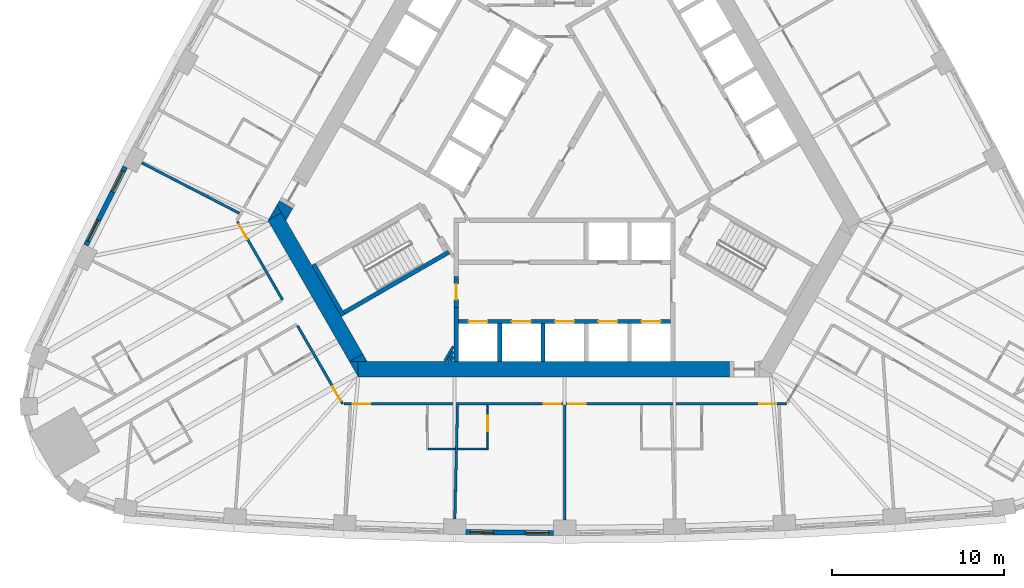
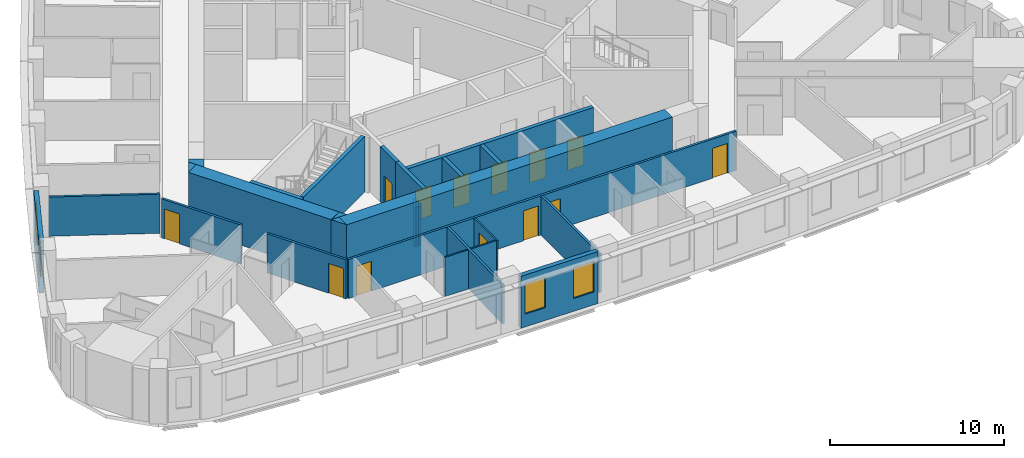
# One storey, part 4 of 12: 27 walls, 13 doors, 4 windows, 17 openings.
"""IFC4 building model written with IfcOpenShell, lengths in metres."""

import ifcopenshell
import ifcopenshell.guid

model = None  # the IFC model being written
_history = None  # IfcOwnerHistory: only IFC2X3 demands one
_inside = {}  # id of a spatial element -> (the spatial element, [elements in it])
_under = {}  # id of a project, library or spatial element -> (it, [spatial elements below it])
_declared = {}  # id of a project -> (the project, [libraries it declares])
_typed = {}  # id of a type object -> (the type object, [elements of that type])
_made_of = {}  # id of a material, layer set ... -> (it, [elements and type objects made of it])


def new_model(schema):
    """Start an empty IFC model of exactly this schema.

    Asked for "IFC4X3", IfcOpenShell would pick the latest addendum, in which some entities
    have other attributes; the version numbers below select the first issue.
    IFC2X3 requires an IfcOwnerHistory on every rooted entity: one is made here for all.
    """
    global model, _history
    if schema == "IFC4X3":
        model = ifcopenshell.file(schema_version=(4, 3, 0, 0))
    else:
        model = ifcopenshell.file(schema=schema)
    _inside.clear()
    _under.clear()
    _declared.clear()
    _typed.clear()
    _made_of.clear()
    _history = None
    if model.schema == "IFC2X3":
        org = make("IfcOrganization", Name="unknown")
        user = make(
            "IfcPersonAndOrganization",
            ThePerson=make("IfcPerson", FamilyName="unknown"),
            TheOrganization=org,
        )
        app = make(
            "IfcApplication",
            ApplicationDeveloper=org,
            Version="unknown",
            ApplicationFullName="unknown",
            ApplicationIdentifier="unknown",
        )
        _history = make(
            "IfcOwnerHistory",
            OwningUser=user,
            OwningApplication=app,
            ChangeAction="ADDED",
            CreationDate=0,
        )
    return model


def make(cls, **values):
    """One entity of the class cls with the attributes given. An attribute that is None is left unset."""
    return model.create_entity(
        cls, **{name: value for name, value in values.items() if value is not None}
    )


def rooted(cls, **values):
    """An entity with a GlobalId (a new one), such as an element, a storey or a relation."""
    return make(cls, GlobalId=ifcopenshell.guid.new(), OwnerHistory=_history, **values)


def si_unit(unit_type, name, prefix=None):
    """IfcSIUnit, for example si_unit("LENGTHUNIT", "METRE", prefix="MILLI")."""
    return make("IfcSIUnit", UnitType=unit_type, Prefix=prefix, Name=name)


def assignment(units):
    """IfcUnitAssignment: the units of a project."""
    return None if units is None else make("IfcUnitAssignment", Units=units)


def point(xyz):
    """IfcCartesianPoint."""
    return None if xyz is None else make("IfcCartesianPoint", Coordinates=xyz)


def direction(xyz):
    """IfcDirection."""
    return None if xyz is None else make("IfcDirection", DirectionRatios=xyz)


def frame(location, z_axis=None, x_axis=None):
    """IfcAxis2Placement3D, a coordinate frame: its origin and axes. An axis left out is left unset."""
    return make(
        "IfcAxis2Placement3D",
        Location=point(location),
        Axis=direction(z_axis),
        RefDirection=direction(x_axis),
    )


def frame_2d(location, x_axis=None):
    """IfcAxis2Placement2D, a coordinate frame in the plane: its origin and x axis."""
    return make(
        "IfcAxis2Placement2D", Location=point(location), RefDirection=direction(x_axis)
    )


def origin():
    """The frame at (0, 0, 0) with its axes left unset."""
    return frame((0.0, 0.0, 0.0))


def place(relative_to, where):
    """IfcLocalPlacement: puts the frame where relative to a parent placement (None: the world)."""
    return make(
        "IfcLocalPlacement", PlacementRelTo=relative_to, RelativePlacement=where
    )


def context(
    kind, dimensions, precision=None, world=None, true_north=None, identifier=None
):
    """IfcGeometricRepresentationContext, for example the 3D "Model" context."""
    return make(
        "IfcGeometricRepresentationContext",
        ContextIdentifier=identifier,
        ContextType=kind,
        CoordinateSpaceDimension=dimensions,
        Precision=precision,
        WorldCoordinateSystem=world,
        TrueNorth=true_north,
    )


def subcontext(parent, identifier, kind, view, scale=None):
    """IfcGeometricRepresentationSubContext, for example "Body" below "Model"."""
    return make(
        "IfcGeometricRepresentationSubContext",
        ContextIdentifier=identifier,
        ContextType=kind,
        ParentContext=parent,
        TargetScale=scale,
        TargetView=view,
    )


def project(units=None, contexts=None):
    """IfcProject with its units and contexts."""
    return rooted(
        "IfcProject",
        Name="project",
        RepresentationContexts=contexts,
        UnitsInContext=assignment(units),
    )


def spatial(cls, under=None, at=None, **own):
    """A site, building, storey or space (cls), placed at a placement, below another one or the project."""
    s = rooted(cls, ObjectPlacement=at, **own)
    if under is not None:
        _under.setdefault(under.id(), (under, []))[1].append(s)
    return s


def polyline(points):
    """IfcPolyline through the points."""
    return make("IfcPolyline", Points=[point(p) for p in points])


def profile(cls, at=None, kind="AREA", **sizes):
    """A parametric profile (cls). Its sizes go by their IFC names, for example OverallWidth=200.0."""
    return make(cls, ProfileType=kind, Position=at, **sizes)


def rectangle(**sizes):
    """IfcRectangleProfileDef."""
    return profile("IfcRectangleProfileDef", **sizes)


def outline(outer, holes=None, kind="AREA"):
    """IfcArbitraryClosedProfileDef: a profile drawn as a closed curve; with holes, ...WithVoids."""
    if holes is None:
        return make("IfcArbitraryClosedProfileDef", ProfileType=kind, OuterCurve=outer)
    return make(
        "IfcArbitraryProfileDefWithVoids",
        ProfileType=kind,
        OuterCurve=outer,
        InnerCurves=holes,
    )


def extrude(swept, where, along, depth):
    """IfcExtrudedAreaSolid: the profile swept, set in the frame where, extruded along a direction by depth."""
    return make(
        "IfcExtrudedAreaSolid",
        SweptArea=swept,
        Position=where,
        ExtrudedDirection=direction(along),
        Depth=depth,
    )


def shape(context_of_items, identifier, shape_type, items):
    """IfcShapeRepresentation: the items that make up one representation, for example the "Body"."""
    return make(
        "IfcShapeRepresentation",
        ContextOfItems=context_of_items,
        RepresentationIdentifier=identifier,
        RepresentationType=shape_type,
        Items=items,
    )


def material(Name=None, Category=None):
    """IfcMaterial."""
    return make("IfcMaterial", Name=Name, Category=Category)


def layer(
    of_material, thickness, ventilated=None, Name=None, Category=None, Priority=None
):
    """IfcMaterialLayer: one layer of a wall or slab, of a material (None: an air gap)."""
    return make(
        "IfcMaterialLayer",
        Material=of_material,
        LayerThickness=thickness,
        IsVentilated=ventilated,
        Name=Name,
        Category=Category,
        Priority=Priority,
    )


def layer_set(layers, Name=None):
    """IfcMaterialLayerSet."""
    return make("IfcMaterialLayerSet", MaterialLayers=layers, LayerSetName=Name)


def made_of(thing, what):
    """Note that an element or type object is made of a material, layer set ...; save() writes the relation."""
    if what is not None:
        _made_of.setdefault(what.id(), (what, []))[1].append(thing)
    return thing


def type_object(cls, material=None, **own):
    """A type object (cls), such as IfcWallType, which elements share."""
    return made_of(rooted(cls, **own), material)


def element(
    cls,
    number,
    at=None,
    inside=None,
    cuts=None,
    type_object=None,
    material=None,
    context=None,
    identifier="Body",
    shape_type=None,
    held_by="IfcProductDefinitionShape",
    body=None,
    shapes=None,
    **own,
):
    """One element of the class cls, such as IfcWall. Its Tag is "e" and its number.

    at: its placement. inside: the storey or other place that contains it. cuts: it is an
    opening in that element (IfcRelVoidsElement). A single representation is given by context,
    identifier, shape_type and body (its items); several are given by shapes. held_by: the class
    of the entity that holds the representations. save() writes the other relations.
    """
    e = rooted(cls, Tag="e%d" % number, ObjectPlacement=at, **own)
    if body is not None:
        shapes = [shape(context, identifier, shape_type, body)]
    if shapes is not None:
        e.Representation = make(held_by, Representations=shapes)
    if inside is not None:
        _inside.setdefault(inside.id(), (inside, []))[1].append(e)
    if cuts is not None:
        rooted(
            "IfcRelVoidsElement", RelatingBuildingElement=cuts, RelatedOpeningElement=e
        )
    if type_object is not None:
        _typed.setdefault(type_object.id(), (type_object, []))[1].append(e)
    return made_of(e, material)


def fill(opening, filler):
    """IfcRelFillsElement: the door or window that sits in an opening."""
    return rooted(
        "IfcRelFillsElement",
        RelatingOpeningElement=opening,
        RelatedBuildingElement=filler,
    )


def aggregate(whole, parts):
    """IfcRelAggregates: a whole, such as a stair, and the parts it consists of."""
    return rooted("IfcRelAggregates", RelatingObject=whole, RelatedObjects=parts)


def save(model, path):
    """Write the relations noted so far, then the file.

    IfcRelAggregates (storeys below a building ...), IfcRelContainedInSpatialStructure (elements
    in a storey), IfcRelDefinesByType, IfcRelAssociatesMaterial and IfcRelDeclares: one each for
    every whole, place, type object, material and project.
    """
    for whole, parts in _under.values():
        aggregate(whole, parts)
    for where, things in _inside.values():
        rooted(
            "IfcRelContainedInSpatialStructure",
            RelatedElements=things,
            RelatingStructure=where,
        )
    for kind, things in _typed.values():
        rooted("IfcRelDefinesByType", RelatedObjects=things, RelatingType=kind)
    for what, things in _made_of.values():
        rooted("IfcRelAssociatesMaterial", RelatedObjects=things, RelatingMaterial=what)
    for by, libraries in _declared.values():
        rooted("IfcRelDeclares", RelatingContext=by, RelatedDefinitions=libraries)
    model.write(path)


model = new_model("IFC4")

# Units and contexts
model_context = context("Model", 3, precision=1e-05, world=origin(), true_north=direction((0.0, 1.0)))
body_context = subcontext(model_context, "Body", "Model", "MODEL_VIEW")
ifc_project = project(units=[si_unit("LENGTHUNIT", "METRE"), si_unit("AREAUNIT", "SQUARE_METRE"), si_unit("VOLUMEUNIT", "CUBIC_METRE"), si_unit("PLANEANGLEUNIT", "RADIAN"), si_unit("MASSUNIT", "GRAM", prefix="KILO")], contexts=[model_context])

# Site, building, storey
site_placement = place(None, origin())
site = spatial("IfcSite", under=ifc_project, at=site_placement, CompositionType="ELEMENT")
building_placement = place(site_placement, origin())
building = spatial("IfcBuilding", under=site, at=building_placement, Name="Mestral Congress Tower", CompositionType="ELEMENT")
storey_placement = place(building_placement, frame((0.0, 0.0, 103.199951171875)))
storey = spatial("IfcBuildingStorey", under=building, at=storey_placement, Name="L24", CompositionType="ELEMENT", Elevation=103.199951171875)

# Walls
ifc_material_1 = material(Name="Fire-rated board partition")
ifc_layer_1 = layer(ifc_material_1, 0.14990234375)
ifc_layer_set_1 = layer_set([ifc_layer_1], Name="Fire-rated board partition")
wall_type_1 = type_object("IfcWallType", Name="Core partition 150", PredefinedType="PARTITIONING", material=ifc_layer_set_1)
wall_1_placement = place(storey_placement, frame((-6.967529296875, -12.068115234375, 0.0), z_axis=(0.0, 0.0, 1.0), x_axis=(0.49998975084, 0.866031321059, 0.0)))
element("IfcWall", 1, at=wall_1_placement, inside=storey, type_object=wall_type_1, Name="L24 core wall", PredefinedType="PARTITIONING", context=body_context, shape_type="SweptSolid", body=[
    extrude(rectangle(XDim=0.97509765625, YDim=0.14990234375, at=frame_2d((0.487548828125, 0.0))), origin(), (0.0, 0.0, 1.0), 2.75),
])
wall_2_placement = place(storey_placement, frame((-6.794189453125, -12.068115234375, 0.0), z_axis=(0.0, 0.0, 1.0), x_axis=(0.49985693963, 0.866107983974, 0.0)))
element("IfcWall", 2, at=wall_2_placement, inside=storey, type_object=wall_type_1, Name="L24 core wall", PredefinedType="PARTITIONING", context=body_context, shape_type="SweptSolid", body=[
    extrude(rectangle(XDim=0.628662109375, YDim=0.14990234375, at=frame_2d((0.314453125, 0.0))), origin(), (0.0, 0.0, 1.0), 2.75),
])
wall_3_placement = place(storey_placement, frame((-6.62109375, -12.068115234375, 0.0), z_axis=(0.0, 0.0, 1.0), x_axis=(0.500046963369, 0.865998287773, 0.0)))
element("IfcWall", 3, at=wall_3_placement, inside=storey, type_object=wall_type_1, Name="L24 core wall", PredefinedType="PARTITIONING", context=body_context, shape_type="SweptSolid", body=[
    extrude(rectangle(XDim=0.2822265625, YDim=0.14990234375, at=frame_2d((0.14111328125, 0.0))), origin(), (0.0, 0.0, 1.0), 2.75),
])
ifc_material_2 = material(Name="Concrete C60/75", Category="concrete")
ifc_layer_2 = layer(ifc_material_2, 0.89990234375)
ifc_layer_set_2 = layer_set([ifc_layer_2], Name="Concrete C60/75")
wall_type_2 = type_object("IfcWallType", Name="Core wall RC 900", PredefinedType="SOLIDWALL", material=ifc_layer_set_2)
wall_4_placement = place(storey_placement, frame((-12.0185546875, -12.550048828125, 0.0), z_axis=(0.0, 0.0, 1.0), x_axis=(1.0, 0.0, 0.0)))
element("IfcWall", 4, at=wall_4_placement, inside=storey, type_object=wall_type_2, Name="L24 core wall", PredefinedType="SOLIDWALL", context=body_context, shape_type="SweptSolid", body=[
    extrude(rectangle(XDim=21.63037109375, YDim=0.89990234375, at=frame_2d((10.815185546875, 0.0))), origin(), (0.0, 0.0, 1.0), 3.900146484375),
])
placement = place(storey_placement, origin())
element("IfcWall", 5, at=placement, inside=storey, type_object=wall_type_2, Name="L24 core wall", PredefinedType="SOLIDWALL", context=body_context, shape_type="SweptSolid", body=[
    extrude(outline(polyline([(-12.528564453125, -12.10009765625), (-12.0205078125, -12.10009765625), (-12.0205078125, -12.97998046875), (-12.528564453125, -12.10009765625)])), origin(), (0.0, 0.0, 1.0), 3.900146484375),
])
wall_6_placement = place(storey_placement, frame((-12.134033203125, -11.88330078125, 0.0), z_axis=(0.0, 0.0, 1.0), x_axis=(-0.500005339912, 0.866022320763, 0.0)))
element("IfcWall", 6, at=wall_6_placement, inside=storey, type_object=wall_type_2, Name="L24 core wall", PredefinedType="SOLIDWALL", context=body_context, shape_type="SweptSolid", body=[
    extrude(rectangle(XDim=9.48779296875, YDim=0.89990234375, at=frame_2d((4.743896484375, 0.0))), origin(), (0.0, 0.0, 1.0), 3.900146484375),
])
element("IfcWall", 7, at=placement, inside=storey, type_object=wall_type_2, Name="L24 core wall", PredefinedType="SOLIDWALL", context=body_context, shape_type="SweptSolid", body=[
    extrude(outline(polyline([(-16.4892578125, -3.43994140625), (-17.251220703125, -3.8798828125), (-16.7431640625, -3.0), (-16.4892578125, -3.43994140625)])), origin(), (0.0, 0.0, 1.0), 3.900146484375),
])
element("IfcWall", 8, at=placement, inside=storey, type_object=wall_type_2, Name="L24 core wall", PredefinedType="SOLIDWALL", context=body_context, shape_type="SweptSolid", body=[
    extrude(outline(polyline([(-11.4892578125, -12.10009765625), (-12.50537109375, -12.10009765625), (-11.743408203125, -11.66015625), (-11.4892578125, -12.10009765625)])), origin(), (0.0, 0.0, 1.0), 3.900146484375),
])
element("IfcWall", 9, at=placement, inside=storey, type_object=wall_type_2, Name="L24 core wall", PredefinedType="SOLIDWALL", context=body_context, shape_type="SweptSolid", body=[
    extrude(outline(polyline([(-15.81982421875, -3.20068359375), (-16.223388671875, -3.89990234375), (-16.7431640625, -3.0), (-16.599365234375, -2.750732421875), (-15.81982421875, -3.20068359375)])), origin(), (0.0, 0.0, 1.0), 3.900146484375),
])

# Wall, openings, windows
ifc_material_3 = material(Name="Precast concrete C40/50 with limestone facing", Category="masonry")
ifc_layer_3 = layer(ifc_material_3, 0.2900390625)
ifc_layer_set_3 = layer_set([ifc_layer_3], Name="Precast concrete C40/50 with limestone facing")
wall_type_3 = type_object("IfcWallType", Name="Facade stone wall 290", PredefinedType="SOLIDWALL", material=ifc_layer_set_3)
wall_10_placement = place(storey_placement, frame((-5.753173828125, -22.031494140625, 0.0), z_axis=(0.0, 0.0, 1.0), x_axis=(0.999931786565, -0.011679992145, 0.0)))
wall_10 = element("IfcWall", 10, at=wall_10_placement, inside=storey, type_object=wall_type_3, Name="Facade wall F0-03", PredefinedType="SOLIDWALL", context=body_context, shape_type="SweptSolid", body=[
    extrude(rectangle(XDim=5.10009765625, YDim=0.2900390625, at=frame_2d((2.550048828125, 0.0))), origin(), (0.0, 0.0, 1.0), 3.650146484375),
])
opening_1_placement = place(wall_10_placement, frame((0.2724609375, 0.0, 0.89990234375)))
opening_1 = element("IfcOpeningElement", 11, at=opening_1_placement, cuts=wall_10, Name="Opening W2", PredefinedType="OPENING", context=body_context, shape_type="SweptSolid", body=[
    extrude(rectangle(XDim=1.35009765625, YDim=2.14990234375, at=frame_2d((0.675048828125, 1.074951171875))), frame((0.0, 0.155029296875, 0.0), z_axis=(0.0, -1.0, 0.0), x_axis=(1.0, 0.0, 0.0)), (0.0, 0.0, 1.0), 0.31005859375),
])
opening_2_placement = place(wall_10_placement, frame((3.477783203125, 0.0, 0.89990234375)))
opening_2 = element("IfcOpeningElement", 12, at=opening_2_placement, cuts=wall_10, Name="Opening W2", PredefinedType="OPENING", context=body_context, shape_type="SweptSolid", body=[
    extrude(rectangle(XDim=1.35009765625, YDim=2.14990234375, at=frame_2d((0.675048828125, 1.074951171875))), frame((0.0, 0.155029296875, 0.0), z_axis=(0.0, -1.0, 0.0), x_axis=(1.0, 0.0, 0.0)), (0.0, 0.0, 1.0), 0.31005859375),
])
ifc_material_4 = material(Name="Clear low-emissivity double glazing", Category="glass")
window_type = type_object("IfcWindowType", Name="Facade punched window 1350 x 2150 sill 900", PartitioningType="DOUBLE_PANEL_VERTICAL", PredefinedType="WINDOW", material=ifc_material_4)
window_1_placement = place(opening_1_placement, origin())
window_1 = element("IfcWindow", 13, at=window_1_placement, inside=storey, type_object=window_type, Name="Window F0-03a", OverallHeight=2.14990234375, OverallWidth=1.35009765625, PartitioningType="DOUBLE_PANEL_VERTICAL", PredefinedType="WINDOW", context=body_context, shape_type="SweptSolid", body=[
    extrude(rectangle(XDim=1.35009765625, YDim=2.14990234375, at=frame_2d((0.675048828125, 1.074951171875))), frame((0.0, 0.01513671875, 0.0), z_axis=(0.0, -1.0, 0.0), x_axis=(1.0, 0.0, 0.0)), (0.0, 0.0, 1.0), 0.06005859375),
])
fill(opening_1, window_1)
window_2_placement = place(opening_2_placement, origin())
window_2 = element("IfcWindow", 14, at=window_2_placement, inside=storey, type_object=window_type, Name="Window F0-03b", OverallHeight=2.14990234375, OverallWidth=1.35009765625, PartitioningType="DOUBLE_PANEL_VERTICAL", PredefinedType="WINDOW", context=body_context, shape_type="SweptSolid", body=[
    extrude(rectangle(XDim=1.35009765625, YDim=2.14990234375, at=frame_2d((0.675048828125, 1.074951171875))), frame((0.0, 0.01513671875, 0.0), z_axis=(0.0, -1.0, 0.0), x_axis=(1.0, 0.0, 0.0)), (0.0, 0.0, 1.0), 0.06005859375),
])
fill(opening_2, window_2)

wall_11_placement = place(storey_placement, frame((-25.576416015625, -0.77783203125, 0.0), z_axis=(0.0, 0.0, 1.0), x_axis=(-0.448534297211, -0.893765620409, 0.0)))
wall_11 = element("IfcWall", 15, at=wall_11_placement, inside=storey, type_object=wall_type_3, Name="Facade wall F2-06", PredefinedType="SOLIDWALL", context=body_context, shape_type="SweptSolid", body=[
    extrude(rectangle(XDim=5.10009765625, YDim=0.2900390625, at=frame_2d((2.550048828125, 0.0))), origin(), (0.0, 0.0, 1.0), 3.650146484375),
])
opening_3_placement = place(wall_11_placement, frame((0.2724609375, 0.0, 0.89990234375)))
opening_3 = element("IfcOpeningElement", 16, at=opening_3_placement, cuts=wall_11, Name="Opening W2", PredefinedType="OPENING", context=body_context, shape_type="SweptSolid", body=[
    extrude(rectangle(XDim=1.35009765625, YDim=2.14990234375, at=frame_2d((0.675048828125, 1.074951171875))), frame((0.0, 0.155029296875, 0.0), z_axis=(0.0, -1.0, 0.0), x_axis=(1.0, 0.0, 0.0)), (0.0, 0.0, 1.0), 0.31005859375),
])
opening_4_placement = place(wall_11_placement, frame((3.477783203125, 0.0, 0.89990234375)))
opening_4 = element("IfcOpeningElement", 17, at=opening_4_placement, cuts=wall_11, Name="Opening W2", PredefinedType="OPENING", context=body_context, shape_type="SweptSolid", body=[
    extrude(rectangle(XDim=1.35009765625, YDim=2.14990234375, at=frame_2d((0.675048828125, 1.074951171875))), frame((0.0, 0.155029296875, 0.0), z_axis=(0.0, -1.0, 0.0), x_axis=(1.0, 0.0, 0.0)), (0.0, 0.0, 1.0), 0.31005859375),
])
window_3_placement = place(opening_3_placement, origin())
window_3 = element("IfcWindow", 18, at=window_3_placement, inside=storey, type_object=window_type, Name="Window F2-06a", OverallHeight=2.14990234375, OverallWidth=1.35009765625, PartitioningType="DOUBLE_PANEL_VERTICAL", PredefinedType="WINDOW", context=body_context, shape_type="SweptSolid", body=[
    extrude(rectangle(XDim=1.35009765625, YDim=2.14990234375, at=frame_2d((0.675048828125, 1.074951171875))), frame((0.0, 0.01513671875, 0.0), z_axis=(0.0, -1.0, 0.0), x_axis=(1.0, 0.0, 0.0)), (0.0, 0.0, 1.0), 0.06005859375),
])
fill(opening_3, window_3)
window_4_placement = place(opening_4_placement, origin())
window_4 = element("IfcWindow", 19, at=window_4_placement, inside=storey, type_object=window_type, Name="Window F2-06b", OverallHeight=2.14990234375, OverallWidth=1.35009765625, PartitioningType="DOUBLE_PANEL_VERTICAL", PredefinedType="WINDOW", context=body_context, shape_type="SweptSolid", body=[
    extrude(rectangle(XDim=1.35009765625, YDim=2.14990234375, at=frame_2d((0.675048828125, 1.074951171875))), frame((0.0, 0.01513671875, 0.0), z_axis=(0.0, -1.0, 0.0), x_axis=(1.0, 0.0, 0.0)), (0.0, 0.0, 1.0), 0.06005859375),
])
fill(opening_4, window_4)

# Wall
ifc_material_5 = material(Name="Gypsum board partition on metal studs with mineral wool", Category="composite")
ifc_layer_4 = layer(ifc_material_5, 0.10009765625)
ifc_layer_set_4 = layer_set([ifc_layer_4], Name="Gypsum board partition on metal studs with mineral wool")
wall_type_4 = type_object("IfcWallType", Name="Hotel partition wall 100", PredefinedType="PARTITIONING", material=ifc_layer_set_4)
wall_12_placement = place(storey_placement, frame((-7.937744140625, -17.199951171875, 0.0), z_axis=(0.0, 0.0, 1.0), x_axis=(1.0, 0.0, 0.0)))
element("IfcWall", 20, at=wall_12_placement, inside=storey, type_object=wall_type_4, Name="L24-h-pod03b", PredefinedType="PARTITIONING", context=body_context, shape_type="SweptSolid", body=[
    extrude(rectangle(XDim=1.56005859375, YDim=0.10009765625, at=frame_2d((0.780029296875, 0.0))), origin(), (0.0, 0.0, 1.0), 2.75),
])

# Wall, opening, door
wall_13_placement = place(storey_placement, frame((-4.480224609375, -17.25, 0.0), z_axis=(0.0, 0.0, 1.0), x_axis=(0.0, 1.0, 0.0)))
wall_13 = element("IfcWall", 21, at=wall_13_placement, inside=storey, type_object=wall_type_4, Name="L24-h-pod04a", PredefinedType="PARTITIONING", context=body_context, shape_type="SweptSolid", body=[
    extrude(rectangle(XDim=2.60009765625, YDim=0.10009765625, at=frame_2d((1.300048828125, 0.0))), origin(), (0.0, 0.0, 1.0), 2.75),
])
opening_5_placement = place(wall_13_placement, frame((1.10009765625, 0.0, 0.0)))
opening_5 = element("IfcOpeningElement", 22, at=opening_5_placement, cuts=wall_13, Name="Opening H07-008", PredefinedType="OPENING", context=body_context, shape_type="SweptSolid", body=[
    extrude(rectangle(XDim=0.89990234375, YDim=2.10009765625, at=frame_2d((0.449951171875, 1.050048828125))), frame((0.0, 0.06005859375, 0.0), z_axis=(0.0, -1.0, 0.0), x_axis=(1.0, 0.0, 0.0)), (0.0, 0.0, 1.0), 0.1201171875),
])
ifc_material_6 = material(Name="Timber veneer door leaf in timber frame", Category="wood")
door_type_1 = type_object("IfcDoorType", Name="Bathroom door 900", OperationType="SINGLE_SWING_LEFT", PredefinedType="DOOR", material=ifc_material_6)
door_1_placement = place(opening_5_placement, origin())
door_1 = element("IfcDoor", 23, at=door_1_placement, inside=storey, type_object=door_type_1, Name="L24-h-d008", OperationType="SINGLE_SWING_LEFT", OverallHeight=2.10009765625, OverallWidth=0.89990234375, PredefinedType="DOOR", context=body_context, shape_type="SweptSolid", body=[
    extrude(rectangle(XDim=0.89990234375, YDim=2.10009765625, at=frame_2d((0.449951171875, 1.050048828125))), frame((0.0, 0.02490234375, 0.0), z_axis=(0.0, -1.0, 0.0), x_axis=(1.0, 0.0, 0.0)), (0.0, 0.0, 1.0), 0.050048828125),
])
fill(opening_5, door_1)

# Wall
wall_14_placement = place(storey_placement, frame((-4.5302734375, -17.199951171875, 0.0), z_axis=(0.0, 0.0, 1.0), x_axis=(-1.0, 0.0, 0.0)))
element("IfcWall", 24, at=wall_14_placement, inside=storey, type_object=wall_type_4, Name="L24-h-pod04b", PredefinedType="PARTITIONING", context=body_context, shape_type="SweptSolid", body=[
    extrude(rectangle(XDim=1.679931640625, YDim=0.10009765625, at=frame_2d((0.83984375, 0.0))), origin(), (0.0, 0.0, 1.0), 2.75),
])

# Wall, opening, door
ifc_layer_5 = layer(ifc_material_5, 0.14990234375)
ifc_layer_set_5 = layer_set([ifc_layer_5], Name="Gypsum board partition on metal studs with mineral wool")
wall_type_5 = type_object("IfcWallType", Name="Hotel partition wall 150", PredefinedType="PARTITIONING", material=ifc_layer_set_5)
wall_15_placement = place(storey_placement, frame((-16.412353515625, -8.52294921875, 0.0), z_axis=(0.0, 0.0, 1.0), x_axis=(-0.500001929737, 0.866024289647, 0.0)))
wall_15 = element("IfcWall", 25, at=wall_15_placement, inside=storey, type_object=wall_type_5, Name="L24-h-cw09", PredefinedType="PARTITIONING", context=body_context, shape_type="SweptSolid", body=[
    extrude(rectangle(XDim=5.26806640625, YDim=0.14990234375, at=frame_2d((2.634033203125, 0.0))), origin(), (0.0, 0.0, 1.0), 2.75),
])
opening_6_placement = place(wall_15_placement, frame((4.088134765625, 0.0, 0.0)))
opening_6 = element("IfcOpeningElement", 26, at=opening_6_placement, cuts=wall_15, Name="Opening H07-046", PredefinedType="OPENING", context=body_context, shape_type="SweptSolid", body=[
    extrude(rectangle(XDim=1.0, YDim=2.10009765625, at=frame_2d((0.5, 1.050048828125))), frame((0.0, 0.0849609375, 0.0), z_axis=(0.0, -1.0, 0.0), x_axis=(1.0, 0.0, 0.0)), (0.0, 0.0, 1.0), 0.169921875),
])
ifc_material_7 = material(Name="Timber veneer door leaf in metal frame", Category="wood")
door_type_2 = type_object("IfcDoorType", Name="Guest room entrance door 1000", OperationType="SINGLE_SWING_LEFT", PredefinedType="DOOR", material=ifc_material_7)
door_2_placement = place(opening_6_placement, origin())
door_2 = element("IfcDoor", 27, at=door_2_placement, inside=storey, type_object=door_type_2, Name="L24-h-d046", OperationType="SINGLE_SWING_RIGHT", OverallHeight=2.10009765625, OverallWidth=1.0, PredefinedType="DOOR", context=body_context, shape_type="SweptSolid", body=[
    extrude(rectangle(XDim=1.0, YDim=2.10009765625, at=frame_2d((0.5, 1.050048828125))), frame((0.0, 0.02490234375, 0.0), z_axis=(0.0, -1.0, 0.0), x_axis=(1.0, 0.0, 0.0)), (0.0, 0.0, 1.0), 0.050048828125),
])
fill(opening_6, door_2)

wall_16_placement = place(storey_placement, frame((-12.918212890625, -14.574951171875, 0.0), z_axis=(0.0, 0.0, 1.0), x_axis=(-0.500009150678, 0.866020120573, 0.0)))
wall_16 = element("IfcWall", 28, at=wall_16_placement, inside=storey, type_object=wall_type_5, Name="L24-h-cw12", PredefinedType="PARTITIONING", context=body_context, shape_type="SweptSolid", body=[
    extrude(rectangle(XDim=5.25830078125, YDim=0.14990234375, at=frame_2d((2.629150390625, 0.0))), origin(), (0.0, 0.0, 1.0), 2.75),
])
opening_7_placement = place(wall_16_placement, frame((0.179931640625, 0.0, 0.0)))
opening_7 = element("IfcOpeningElement", 29, at=opening_7_placement, cuts=wall_16, Name="Opening H07-003", PredefinedType="OPENING", context=body_context, shape_type="SweptSolid", body=[
    extrude(rectangle(XDim=1.0, YDim=2.10009765625, at=frame_2d((0.5, 1.050048828125))), frame((0.0, 0.0849609375, 0.0), z_axis=(0.0, -1.0, 0.0), x_axis=(1.0, 0.0, 0.0)), (0.0, 0.0, 1.0), 0.169921875),
])
door_3_placement = place(opening_7_placement, origin())
door_3 = element("IfcDoor", 30, at=door_3_placement, inside=storey, type_object=door_type_2, Name="L24-h-d003", OperationType="SINGLE_SWING_LEFT", OverallHeight=2.10009765625, OverallWidth=1.0, PredefinedType="DOOR", context=body_context, shape_type="SweptSolid", body=[
    extrude(rectangle(XDim=1.0, YDim=2.10009765625, at=frame_2d((0.5, 1.050048828125))), frame((0.0, 0.02490234375, 0.0), z_axis=(0.0, -1.0, 0.0), x_axis=(1.0, 0.0, 0.0)), (0.0, 0.0, 1.0), 0.050048828125),
])
fill(opening_7, door_3)

# Wall, openings, doors
wall_17_placement = place(storey_placement, frame((12.918212890625, -14.574951171875, 0.0), z_axis=(0.0, 0.0, 1.0), x_axis=(-1.0, 0.0, 0.0)))
wall_17 = element("IfcWall", 31, at=wall_17_placement, inside=storey, type_object=wall_type_5, Name="L24-h-cw13", PredefinedType="PARTITIONING", context=body_context, shape_type="SweptSolid", body=[
    extrude(rectangle(XDim=25.766357421875, YDim=0.14990234375, at=frame_2d((12.88330078125, 0.0))), origin(), (0.0, 0.0, 1.0), 2.75),
])
opening_8_placement = place(wall_17_placement, frame((24.240478515625, 0.0, 0.0)))
opening_8 = element("IfcOpeningElement", 32, at=opening_8_placement, cuts=wall_17, Name="Opening H07-005", PredefinedType="OPENING", context=body_context, shape_type="SweptSolid", body=[
    extrude(rectangle(XDim=1.0, YDim=2.10009765625, at=frame_2d((0.5, 1.050048828125))), frame((0.0, 0.0849609375, 0.0), z_axis=(0.0, -1.0, 0.0), x_axis=(1.0, 0.0, 0.0)), (0.0, 0.0, 1.0), 0.169921875),
])
opening_9_placement = place(wall_17_placement, frame((13.144287109375, 0.0, 0.0)))
opening_9 = element("IfcOpeningElement", 33, at=opening_9_placement, cuts=wall_17, Name="Opening H07-007", PredefinedType="OPENING", context=body_context, shape_type="SweptSolid", body=[
    extrude(rectangle(XDim=1.0, YDim=2.10009765625, at=frame_2d((0.5, 1.050048828125))), frame((0.0, 0.0849609375, 0.0), z_axis=(0.0, -1.0, 0.0), x_axis=(1.0, 0.0, 0.0)), (0.0, 0.0, 1.0), 0.169921875),
])
opening_10_placement = place(wall_17_placement, frame((11.693115234375, 0.0, 0.0)))
opening_10 = element("IfcOpeningElement", 34, at=opening_10_placement, cuts=wall_17, Name="Opening H07-009", PredefinedType="OPENING", context=body_context, shape_type="SweptSolid", body=[
    extrude(rectangle(XDim=1.0, YDim=2.10009765625, at=frame_2d((0.5, 1.050048828125))), frame((0.0, 0.0849609375, 0.0), z_axis=(0.0, -1.0, 0.0), x_axis=(1.0, 0.0, 0.0)), (0.0, 0.0, 1.0), 0.169921875),
])
opening_11_placement = place(wall_17_placement, frame((0.595947265625, 0.0, 0.0)))
opening_11 = element("IfcOpeningElement", 35, at=opening_11_placement, cuts=wall_17, Name="Opening H07-011", PredefinedType="OPENING", context=body_context, shape_type="SweptSolid", body=[
    extrude(rectangle(XDim=1.0, YDim=2.10009765625, at=frame_2d((0.5, 1.050048828125))), frame((0.0, 0.0849609375, 0.0), z_axis=(0.0, -1.0, 0.0), x_axis=(1.0, 0.0, 0.0)), (0.0, 0.0, 1.0), 0.169921875),
])
door_4_placement = place(opening_8_placement, origin())
door_4 = element("IfcDoor", 36, at=door_4_placement, inside=storey, type_object=door_type_2, Name="L24-h-d005", OperationType="SINGLE_SWING_RIGHT", OverallHeight=2.10009765625, OverallWidth=1.0, PredefinedType="DOOR", context=body_context, shape_type="SweptSolid", body=[
    extrude(rectangle(XDim=1.0, YDim=2.10009765625, at=frame_2d((0.5, 1.050048828125))), frame((0.0, 0.02490234375, 0.0), z_axis=(0.0, -1.0, 0.0), x_axis=(1.0, 0.0, 0.0)), (0.0, 0.0, 1.0), 0.050048828125),
])
fill(opening_8, door_4)
door_5_placement = place(opening_9_placement, origin())
door_5 = element("IfcDoor", 37, at=door_5_placement, inside=storey, type_object=door_type_2, Name="L24-h-d007", OperationType="SINGLE_SWING_LEFT", OverallHeight=2.10009765625, OverallWidth=1.0, PredefinedType="DOOR", context=body_context, shape_type="SweptSolid", body=[
    extrude(rectangle(XDim=1.0, YDim=2.10009765625, at=frame_2d((0.5, 1.050048828125))), frame((0.0, 0.02490234375, 0.0), z_axis=(0.0, -1.0, 0.0), x_axis=(1.0, 0.0, 0.0)), (0.0, 0.0, 1.0), 0.050048828125),
])
fill(opening_9, door_5)
door_6_placement = place(opening_10_placement, origin())
door_6 = element("IfcDoor", 38, at=door_6_placement, inside=storey, type_object=door_type_2, Name="L24-h-d009", OperationType="SINGLE_SWING_RIGHT", OverallHeight=2.10009765625, OverallWidth=1.0, PredefinedType="DOOR", context=body_context, shape_type="SweptSolid", body=[
    extrude(rectangle(XDim=1.0, YDim=2.10009765625, at=frame_2d((0.5, 1.050048828125))), frame((0.0, 0.02490234375, 0.0), z_axis=(0.0, -1.0, 0.0), x_axis=(1.0, 0.0, 0.0)), (0.0, 0.0, 1.0), 0.050048828125),
])
fill(opening_10, door_6)
door_7_placement = place(opening_11_placement, origin())
door_7 = element("IfcDoor", 39, at=door_7_placement, inside=storey, type_object=door_type_2, Name="L24-h-d011", OperationType="SINGLE_SWING_LEFT", OverallHeight=2.10009765625, OverallWidth=1.0, PredefinedType="DOOR", context=body_context, shape_type="SweptSolid", body=[
    extrude(rectangle(XDim=1.0, YDim=2.10009765625, at=frame_2d((0.5, 1.050048828125))), frame((0.0, 0.02490234375, 0.0), z_axis=(0.0, -1.0, 0.0), x_axis=(1.0, 0.0, 0.0)), (0.0, 0.0, 1.0), 0.050048828125),
])
fill(opening_11, door_7)

# Walls
wall_18_placement = place(storey_placement, frame((-24.612548828125, -0.54052734375, 0.0), z_axis=(0.0, 0.0, 1.0), x_axis=(0.888459912519, -0.458954228487, 0.0)))
element("IfcWall", 40, at=wall_18_placement, inside=storey, type_object=wall_type_5, Name="L24-h-pw04", PredefinedType="PARTITIONING", context=body_context, shape_type="SweptSolid", body=[
    extrude(rectangle(XDim=6.391845703125, YDim=0.14990234375, at=frame_2d((3.19580078125, 0.0))), origin(), (0.0, 0.0, 1.0), 2.75),
])
wall_19_placement = place(storey_placement, frame((-6.388916015625, -21.268798828125, 0.0), z_axis=(0.0, 0.0, 1.0), x_axis=(0.023377429176, 0.999726710559, 0.0)))
element("IfcWall", 41, at=wall_19_placement, inside=storey, type_object=wall_type_5, Name="L24-h-pw12", PredefinedType="PARTITIONING", context=body_context, shape_type="SweptSolid", body=[
    extrude(rectangle(XDim=6.610595703125, YDim=0.14990234375, at=frame_2d((3.30517578125, 0.0))), origin(), (0.0, 0.0, 1.0), 2.75),
])
wall_20_placement = place(storey_placement, frame((0.0, -21.343505859375, 0.0), z_axis=(0.0, 0.0, 1.0), x_axis=(0.0, 1.0, 0.0)))
element("IfcWall", 42, at=wall_20_placement, inside=storey, type_object=wall_type_5, Name="L24-h-pw15", PredefinedType="PARTITIONING", context=body_context, shape_type="SweptSolid", body=[
    extrude(rectangle(XDim=6.693603515625, YDim=0.14990234375, at=frame_2d((3.3466796875, 0.0))), origin(), (0.0, 0.0, 1.0), 2.75),
])
ifc_layer_6 = layer(ifc_material_2, 0.25)
ifc_layer_set_6 = layer_set([ifc_layer_6], Name="Concrete C60/75")
wall_type_6 = type_object("IfcWallType", Name="Shaft wall RC 250", PredefinedType="SOLIDWALL", material=ifc_layer_set_6)
wall_21_placement = place(storey_placement, frame((-3.780029296875, -12.10009765625, 0.0), z_axis=(0.0, 0.0, 1.0), x_axis=(0.0, 1.0, 0.0)))
element("IfcWall", 43, at=wall_21_placement, inside=storey, type_object=wall_type_6, Name="L24 core wall", PredefinedType="SOLIDWALL", context=body_context, shape_type="SweptSolid", body=[
    extrude(rectangle(XDim=2.199951171875, YDim=0.25, at=frame_2d((1.10009765625, 0.0))), origin(), (0.0, 0.0, 1.0), 3.900146484375),
])
wall_22_placement = place(storey_placement, frame((-6.300048828125, -12.10009765625, 0.0), z_axis=(0.0, 0.0, 1.0), x_axis=(0.0, 1.0, 0.0)))
element("IfcWall", 44, at=wall_22_placement, inside=storey, type_object=wall_type_6, Name="L24 core wall", PredefinedType="SOLIDWALL", context=body_context, shape_type="SweptSolid", body=[
    extrude(rectangle(XDim=3.1455078125, YDim=0.25, at=frame_2d((1.57275390625, 0.0))), origin(), (0.0, 0.0, 1.0), 3.900146484375),
])
wall_23_placement = place(storey_placement, frame((-1.260009765625, -12.10009765625, 0.0), z_axis=(0.0, 0.0, 1.0), x_axis=(0.0, 1.0, 0.0)))
element("IfcWall", 45, at=wall_23_placement, inside=storey, type_object=wall_type_6, Name="L24 core wall", PredefinedType="SOLIDWALL", context=body_context, shape_type="SweptSolid", body=[
    extrude(rectangle(XDim=2.199951171875, YDim=0.25, at=frame_2d((1.10009765625, 0.0))), origin(), (0.0, 0.0, 1.0), 3.900146484375),
])

# Wall, openings, doors
wall_24_placement = place(storey_placement, frame((-6.175048828125, -9.77490234375, 0.0), z_axis=(0.0, 0.0, 1.0), x_axis=(1.0, 0.0, 0.0)))
wall_24 = element("IfcWall", 46, at=wall_24_placement, inside=storey, type_object=wall_type_6, Name="L24 door wall", PredefinedType="SOLIDWALL", context=body_context, shape_type="SweptSolid", body=[
    extrude(rectangle(XDim=12.35009765625, YDim=0.25, at=frame_2d((6.175048828125, 0.0))), origin(), (0.0, 0.0, 1.0), 3.900146484375),
])
opening_12_placement = place(wall_24_placement, frame((0.5849609375, 0.0, 0.0)))
opening_12 = element("IfcOpeningElement", 47, at=opening_12_placement, cuts=wall_24, Name="Opening LD-SOA1", PredefinedType="OPENING", context=body_context, shape_type="SweptSolid", body=[
    extrude(rectangle(XDim=1.10009765625, YDim=2.10009765625, at=frame_2d((0.550048828125, 1.050048828125))), frame((0.0, 0.135009765625, 0.0), z_axis=(0.0, -1.0, 0.0), x_axis=(1.0, 0.0, 0.0)), (0.0, 0.0, 1.0), 0.27001953125),
])
opening_13_placement = place(wall_24_placement, frame((3.10498046875, 0.0, 0.0)))
opening_13 = element("IfcOpeningElement", 48, at=opening_13_placement, cuts=wall_24, Name="Opening LD-SOA2", PredefinedType="OPENING", context=body_context, shape_type="SweptSolid", body=[
    extrude(rectangle(XDim=1.10009765625, YDim=2.10009765625, at=frame_2d((0.550048828125, 1.050048828125))), frame((0.0, 0.135009765625, 0.0), z_axis=(0.0, -1.0, 0.0), x_axis=(1.0, 0.0, 0.0)), (0.0, 0.0, 1.0), 0.27001953125),
])
opening_14_placement = place(wall_24_placement, frame((5.625, 0.0, 0.0)))
opening_14 = element("IfcOpeningElement", 49, at=opening_14_placement, cuts=wall_24, Name="Opening LD-SOA3", PredefinedType="OPENING", context=body_context, shape_type="SweptSolid", body=[
    extrude(rectangle(XDim=1.10009765625, YDim=2.10009765625, at=frame_2d((0.550048828125, 1.050048828125))), frame((0.0, 0.135009765625, 0.0), z_axis=(0.0, -1.0, 0.0), x_axis=(1.0, 0.0, 0.0)), (0.0, 0.0, 1.0), 0.27001953125),
])
opening_15_placement = place(wall_24_placement, frame((8.14501953125, 0.0, 0.0)))
opening_15 = element("IfcOpeningElement", 50, at=opening_15_placement, cuts=wall_24, Name="Opening LD-SOA4", PredefinedType="OPENING", context=body_context, shape_type="SweptSolid", body=[
    extrude(rectangle(XDim=1.10009765625, YDim=2.10009765625, at=frame_2d((0.550048828125, 1.050048828125))), frame((0.0, 0.135009765625, 0.0), z_axis=(0.0, -1.0, 0.0), x_axis=(1.0, 0.0, 0.0)), (0.0, 0.0, 1.0), 0.27001953125),
])
opening_16_placement = place(wall_24_placement, frame((10.6650390625, 0.0, 0.0)))
opening_16 = element("IfcOpeningElement", 51, at=opening_16_placement, cuts=wall_24, Name="Opening LD-SOA5", PredefinedType="OPENING", context=body_context, shape_type="SweptSolid", body=[
    extrude(rectangle(XDim=1.10009765625, YDim=2.10009765625, at=frame_2d((0.550048828125, 1.050048828125))), frame((0.0, 0.135009765625, 0.0), z_axis=(0.0, -1.0, 0.0), x_axis=(1.0, 0.0, 0.0)), (0.0, 0.0, 1.0), 0.27001953125),
])
ifc_material_8 = material(Name="Fire-rated steel door set", Category="steel")
door_type_3 = type_object("IfcDoorType", Name="Core door LD 1100x2100", OperationType="DOUBLE_DOOR_SLIDING", PredefinedType="DOOR", material=ifc_material_8)
door_8_placement = place(opening_12_placement, origin())
door_8 = element("IfcDoor", 52, at=door_8_placement, inside=storey, type_object=door_type_3, Name="Door LD-SOA1", OperationType="DOUBLE_DOOR_SLIDING", OverallHeight=2.10009765625, OverallWidth=1.10009765625, PredefinedType="DOOR", context=body_context, shape_type="SweptSolid", body=[
    extrude(rectangle(XDim=1.10009765625, YDim=2.10009765625, at=frame_2d((0.550048828125, 1.050048828125))), frame((0.0, 0.02490234375, 0.0), z_axis=(0.0, -1.0, 0.0), x_axis=(1.0, 0.0, 0.0)), (0.0, 0.0, 1.0), 0.050048828125),
])
fill(opening_12, door_8)
door_9_placement = place(opening_13_placement, origin())
door_9 = element("IfcDoor", 53, at=door_9_placement, inside=storey, type_object=door_type_3, Name="Door LD-SOA2", OperationType="DOUBLE_DOOR_SLIDING", OverallHeight=2.10009765625, OverallWidth=1.10009765625, PredefinedType="DOOR", context=body_context, shape_type="SweptSolid", body=[
    extrude(rectangle(XDim=1.10009765625, YDim=2.10009765625, at=frame_2d((0.550048828125, 1.050048828125))), frame((0.0, 0.02490234375, 0.0), z_axis=(0.0, -1.0, 0.0), x_axis=(1.0, 0.0, 0.0)), (0.0, 0.0, 1.0), 0.050048828125),
])
fill(opening_13, door_9)
door_10_placement = place(opening_14_placement, origin())
door_10 = element("IfcDoor", 54, at=door_10_placement, inside=storey, type_object=door_type_3, Name="Door LD-SOA3", OperationType="DOUBLE_DOOR_SLIDING", OverallHeight=2.10009765625, OverallWidth=1.10009765625, PredefinedType="DOOR", context=body_context, shape_type="SweptSolid", body=[
    extrude(rectangle(XDim=1.10009765625, YDim=2.10009765625, at=frame_2d((0.550048828125, 1.050048828125))), frame((0.0, 0.02490234375, 0.0), z_axis=(0.0, -1.0, 0.0), x_axis=(1.0, 0.0, 0.0)), (0.0, 0.0, 1.0), 0.050048828125),
])
fill(opening_14, door_10)
door_11_placement = place(opening_15_placement, origin())
door_11 = element("IfcDoor", 55, at=door_11_placement, inside=storey, type_object=door_type_3, Name="Door LD-SOA4", OperationType="DOUBLE_DOOR_SLIDING", OverallHeight=2.10009765625, OverallWidth=1.10009765625, PredefinedType="DOOR", context=body_context, shape_type="SweptSolid", body=[
    extrude(rectangle(XDim=1.10009765625, YDim=2.10009765625, at=frame_2d((0.550048828125, 1.050048828125))), frame((0.0, 0.02490234375, 0.0), z_axis=(0.0, -1.0, 0.0), x_axis=(1.0, 0.0, 0.0)), (0.0, 0.0, 1.0), 0.050048828125),
])
fill(opening_15, door_11)
door_12_placement = place(opening_16_placement, origin())
door_12 = element("IfcDoor", 56, at=door_12_placement, inside=storey, type_object=door_type_3, Name="Door LD-SOA5", OperationType="DOUBLE_DOOR_SLIDING", OverallHeight=2.10009765625, OverallWidth=1.10009765625, PredefinedType="DOOR", context=body_context, shape_type="SweptSolid", body=[
    extrude(rectangle(XDim=1.10009765625, YDim=2.10009765625, at=frame_2d((0.550048828125, 1.050048828125))), frame((0.0, 0.02490234375, 0.0), z_axis=(0.0, -1.0, 0.0), x_axis=(1.0, 0.0, 0.0)), (0.0, 0.0, 1.0), 0.050048828125),
])
fill(opening_16, door_12)

# Wall, opening, door
wall_25_placement = place(storey_placement, frame((-6.300048828125, -7.154296875, 0.0), z_axis=(0.0, 0.0, 1.0), x_axis=(0.0, -1.0, 0.0)))
wall_25 = element("IfcWall", 57, at=wall_25_placement, inside=storey, type_object=wall_type_6, Name="L24 door wall", PredefinedType="SOLIDWALL", context=body_context, shape_type="SweptSolid", body=[
    extrude(rectangle(XDim=1.800048828125, YDim=0.25, at=frame_2d((0.89990234375, 0.0))), origin(), (0.0, 0.0, 1.0), 3.900146484375),
])
opening_17_placement = place(wall_25_placement, frame((0.449951171875, 0.0, 0.0)))
opening_17 = element("IfcOpeningElement", 58, at=opening_17_placement, cuts=wall_25, Name="Opening TD3", PredefinedType="OPENING", context=body_context, shape_type="SweptSolid", body=[
    extrude(rectangle(XDim=0.89990234375, YDim=2.10009765625, at=frame_2d((0.449951171875, 1.050048828125))), frame((0.0, 0.135009765625, 0.0), z_axis=(0.0, -1.0, 0.0), x_axis=(1.0, 0.0, 0.0)), (0.0, 0.0, 1.0), 0.27001953125),
])
door_type_4 = type_object("IfcDoorType", Name="Core door SR 900x2100", OperationType="SINGLE_SWING_LEFT", PredefinedType="DOOR", material=ifc_material_8)
door_13_placement = place(opening_17_placement, origin())
door_13 = element("IfcDoor", 59, at=door_13_placement, inside=storey, type_object=door_type_4, Name="Door TD3", OperationType="SINGLE_SWING_LEFT", OverallHeight=2.10009765625, OverallWidth=0.89990234375, PredefinedType="DOOR", context=body_context, shape_type="SweptSolid", body=[
    extrude(rectangle(XDim=0.89990234375, YDim=2.10009765625, at=frame_2d((0.449951171875, 1.050048828125))), frame((0.0, 0.02490234375, 0.0), z_axis=(0.0, -1.0, 0.0), x_axis=(1.0, 0.0, 0.0)), (0.0, 0.0, 1.0), 0.050048828125),
])
fill(opening_17, door_13)

# Walls
ifc_layer_7 = layer(ifc_material_2, 0.25)
ifc_layer_set_7 = layer_set([ifc_layer_7], Name="Concrete C60/75")
wall_type_7 = type_object("IfcWallType", Name="Stair wall RC 250", PredefinedType="SOLIDWALL", material=ifc_layer_set_7)
wall_26_placement = place(storey_placement, frame((-12.885498046875, -9.431396484375, 0.0), z_axis=(0.0, 0.0, 1.0), x_axis=(-0.500020560727, 0.866013532718, 0.0)))
element("IfcWall", 60, at=wall_26_placement, inside=storey, type_object=wall_type_7, Name="L24 core wall", PredefinedType="SOLIDWALL", context=body_context, shape_type="SweptSolid", body=[
    extrude(rectangle(XDim=3.449951171875, YDim=0.25, at=frame_2d((1.72509765625, 0.0))), origin(), (0.0, 0.0, 1.0), 3.900146484375),
])
wall_27_placement = place(storey_placement, frame((-12.83984375, -9.2607421875, 0.0), z_axis=(0.0, 0.0, 1.0), x_axis=(0.866016039709, 0.500016218704, 0.0)))
element("IfcWall", 61, at=wall_27_placement, inside=storey, type_object=wall_type_7, Name="L24 core wall", PredefinedType="SOLIDWALL", context=body_context, shape_type="SweptSolid", body=[
    extrude(rectangle(XDim=7.050048828125, YDim=0.25, at=frame_2d((3.52490234375, 0.0))), origin(), (0.0, 0.0, 1.0), 3.900146484375),
])

save(model, "model.ifc")
